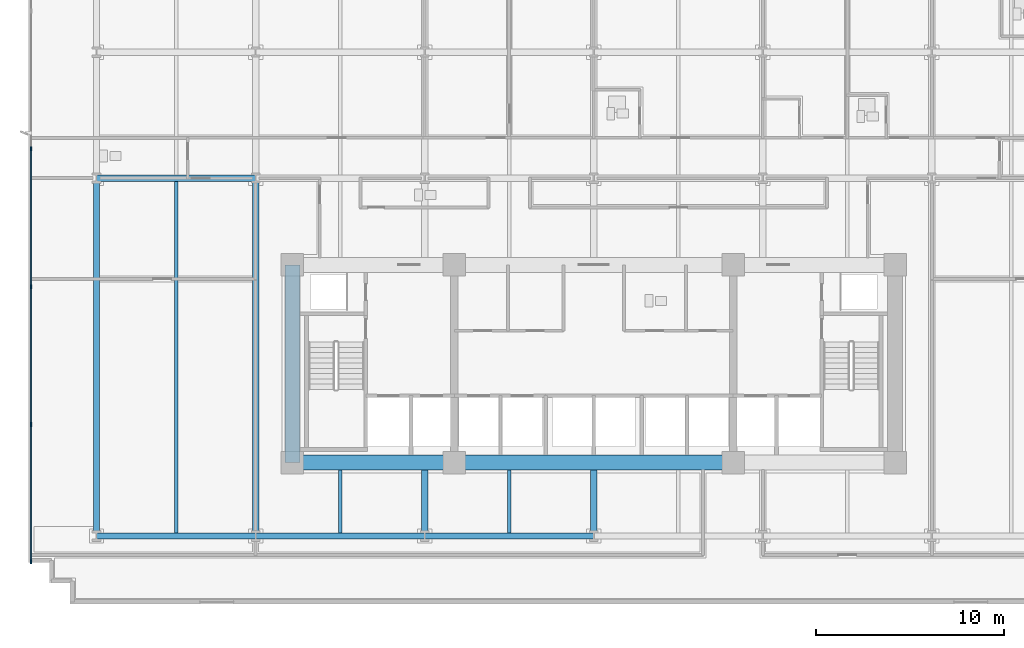
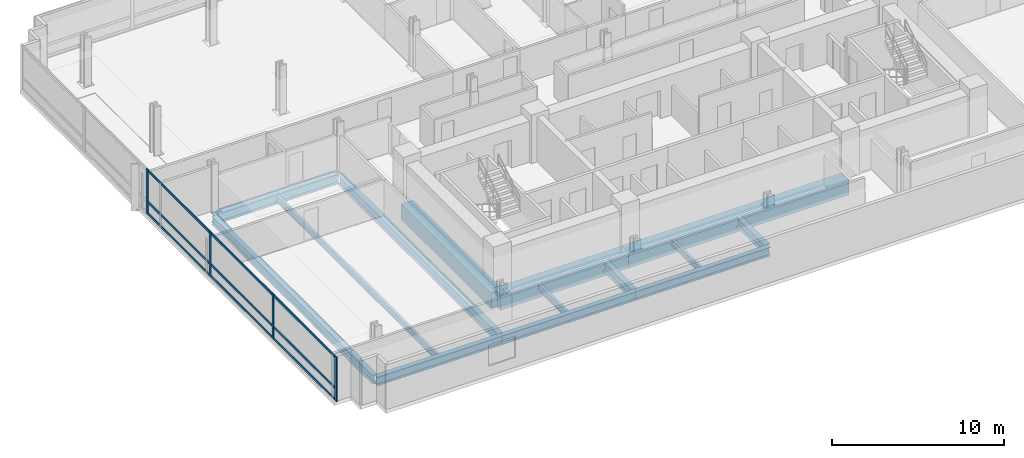
# One storey, part 2 of 17: 14 beams, 13 members, 1 element without a shape of its own.
"""IFC4 building model written with IfcOpenShell, lengths in metres."""

from ifc_helpers import new_model, si_unit, direction, frame, origin, origin_2d, place, context, subcontext, project, spatial, rectangle, i_section, extrude, material, material_profile, profile_set, type_object, element, aggregate, save


model = new_model("IFC4")

# Units and contexts
model_context = context("Model", 3, precision=1e-05, world=origin(), true_north=direction((0.0, 1.0)))
body_context = subcontext(model_context, "Body", "Model", "MODEL_VIEW")
ifc_project = project(units=[si_unit("LENGTHUNIT", "METRE"), si_unit("AREAUNIT", "SQUARE_METRE"), si_unit("VOLUMEUNIT", "CUBIC_METRE"), si_unit("PLANEANGLEUNIT", "RADIAN"), si_unit("MASSUNIT", "GRAM", prefix="KILO")], contexts=[model_context])

# Site, building, storey
site_placement = place(None, origin())
site = spatial("IfcSite", under=ifc_project, at=site_placement, CompositionType="ELEMENT")
building_placement = place(site_placement, origin())
building = spatial("IfcBuilding", under=site, at=building_placement, Name="Solmavex Isthmus Hotel", CompositionType="ELEMENT")
storey_placement = place(building_placement, frame((0.0, 0.0, 47.10009765625)))
storey = spatial("IfcBuildingStorey", under=building, at=storey_placement, Name="L12", CompositionType="ELEMENT", Elevation=47.10009765625)

# Beams
ifc_material_1 = material(Name="Steel ASTM A992 Grade 50", Category="steel")
ifc_material_profile_1 = material_profile(ifc_material_1, i_section(OverallWidth=0.354736328125, OverallDepth=0.695556640625, WebThickness=0.015380859375, FlangeThickness=0.02490234375, FilletRadius=0.017822265625, at=origin_2d()), Name="W27X146")
ifc_profile_set_1 = profile_set([ifc_material_profile_1], Name="Steel ASTM A992 Grade 50")
beam_type_1 = type_object("IfcBeamType", Name="BM-BG-W27X146", PredefinedType="BEAM", material=ifc_profile_set_1)
beam_1_placement = place(storey_placement, frame((-26.39990234375, 2.10009765625, -0.60791015625), z_axis=(1.0, 0.0, 0.0), x_axis=(0.0, 1.0, 0.0)))
element("IfcBeam", 1, at=beam_1_placement, inside=storey, type_object=beam_type_1, Name="Floor Girder L12-UG07", PredefinedType="BEAM", context=body_context, shape_type="SweptSolid", body=[
    extrude(i_section(OverallWidth=0.354736328125, OverallDepth=0.695556640625, WebThickness=0.015380859375, FlangeThickness=0.02490234375, FilletRadius=0.017822265625, at=origin_2d()), origin(), (0.0, 0.0, 1.0), 8.447998046875),
])
beam_2_placement = place(storey_placement, frame((-17.951904296875, -16.73681640625, -0.60791015625), z_axis=(0.0, 1.0, 0.0), x_axis=(-1.0, 0.0, 0.0)))
element("IfcBeam", 2, at=beam_2_placement, inside=storey, type_object=beam_type_1, Name="Floor Beam L12-VG28", PredefinedType="BEAM", context=body_context, shape_type="SweptSolid", body=[
    extrude(i_section(OverallWidth=0.354736328125, OverallDepth=0.695556640625, WebThickness=0.015380859375, FlangeThickness=0.02490234375, FilletRadius=0.017822265625, at=origin_2d()), origin(), (0.0, 0.0, 1.0), 18.659423828125),
])
for number, where, z_axis, x_axis, name in (
    (3, (-8.97607421875, -16.73681640625, -0.60791015625), (0.0, 1.0, 0.0), (-1.0, 0.0, 0.0), "Floor Beam L12-VG31"),
    (4, (0.0, -16.73681640625, -0.60791015625), (0.0, 1.0, 0.0), (-1.0, 0.0, 0.0), "Floor Beam L12-VG35"),
):
    element("IfcBeam", number, at=place(storey_placement, frame(where, z_axis=z_axis, x_axis=x_axis)), inside=storey, type_object=beam_type_1, Name=name, PredefinedType="BEAM", context=body_context, shape_type="SweptSolid", body=[
        extrude(i_section(OverallWidth=0.354736328125, OverallDepth=0.695556640625, WebThickness=0.015380859375, FlangeThickness=0.02490234375, FilletRadius=0.017822265625, at=origin_2d()), origin(), (0.0, 0.0, 1.0), 3.3369140625),
    ])
ifc_material_profile_2 = material_profile(ifc_material_1, i_section(OverallWidth=0.1904296875, OverallDepth=0.456787109375, WebThickness=0.009033203125, FlangeThickness=0.014404296875, FilletRadius=0.0126953125, at=origin_2d()), Name="W18X50")
ifc_profile_set_2 = profile_set([ifc_material_profile_2], Name="Steel ASTM A992 Grade 50")
beam_type_2 = type_object("IfcBeamType", Name="BM-BJ-W18X50", PredefinedType="JOIST", material=ifc_profile_set_2)
beam_3_placement = place(storey_placement, frame((-22.176025390625, -16.73681640625, -0.488525390625), z_axis=(0.0, 1.0, 0.0), x_axis=(-1.0, 0.0, 0.0)))
element("IfcBeam", 5, at=beam_3_placement, inside=storey, type_object=beam_type_2, Name="Secondary Floor Joist L12-J01", PredefinedType="JOIST", context=body_context, shape_type="SweptSolid", body=[
    extrude(i_section(OverallWidth=0.1904296875, OverallDepth=0.456787109375, WebThickness=0.009033203125, FlangeThickness=0.014404296875, FilletRadius=0.0126953125, at=origin_2d()), origin(), (0.0, 0.0, 1.0), 18.659423828125),
])
for number, where, z_axis, x_axis, name in (
    (6, (-13.464111328125, -16.73681640625, -0.488525390625), (0.0, 1.0, 0.0), (-1.0, 0.0, 0.0), "Secondary Floor Joist L12-J04"),
    (7, (-4.488037109375, -16.73681640625, -0.488525390625), (0.0, 1.0, 0.0), (-1.0, 0.0, 0.0), "Secondary Floor Joist L12-J08"),
):
    element("IfcBeam", number, at=place(storey_placement, frame(where, z_axis=z_axis, x_axis=x_axis)), inside=storey, type_object=beam_type_2, Name=name, PredefinedType="JOIST", context=body_context, shape_type="SweptSolid", body=[
        extrude(i_section(OverallWidth=0.1904296875, OverallDepth=0.456787109375, WebThickness=0.009033203125, FlangeThickness=0.014404296875, FilletRadius=0.0126953125, at=origin_2d()), origin(), (0.0, 0.0, 1.0), 3.3369140625),
    ])
ifc_material_2 = material(Name="Concrete C70/85", Category="concrete")
ifc_material_profile_3 = material_profile(ifc_material_2, rectangle(XDim=0.800048828125, YDim=1.10009765625, at=origin_2d()), Name="RC800X1100")
ifc_profile_set_3 = profile_set([ifc_material_profile_3], Name="Concrete C70/85")
beam_type_3 = type_object("IfcBeamType", Name="BM-CB-800X1100", PredefinedType="BEAM", material=ifc_profile_set_3)
beam_4_placement = place(storey_placement, frame((-16.0, -13.0, -0.81005859375), z_axis=(1.0, 0.0, 0.0), x_axis=(0.0, 1.0, 0.0)))
element("IfcBeam", 8, at=beam_4_placement, inside=storey, type_object=beam_type_3, Name="Core Coupling Beam L12-CB1", PredefinedType="BEAM", context=body_context, shape_type="SweptSolid", body=[
    extrude(rectangle(XDim=0.800048828125, YDim=1.10009765625, at=origin_2d()), origin(), (0.0, 0.0, 1.0), 8.60009765625),
])
beam_5_placement = place(storey_placement, frame((-7.39990234375, -13.0, -0.81005859375), z_axis=(1.0, 0.0, 0.0), x_axis=(0.0, 1.0, 0.0)))
element("IfcBeam", 9, at=beam_5_placement, inside=storey, type_object=beam_type_3, Name="Core Coupling Beam L12-CB2", PredefinedType="BEAM", context=body_context, shape_type="SweptSolid", body=[
    extrude(rectangle(XDim=0.800048828125, YDim=1.10009765625, at=origin_2d()), origin(), (0.0, 0.0, 1.0), 14.7998046875),
])
beam_6_placement = place(storey_placement, frame((-16.0, -13.0, -0.81005859375), z_axis=(0.0, 1.0, 0.0), x_axis=(-1.0, 0.0, 0.0)))
element("IfcBeam", 10, at=beam_6_placement, inside=storey, type_object=beam_type_3, Name="Core Coupling Beam L12-CB7", PredefinedType="BEAM", context=body_context, shape_type="SweptSolid", body=[
    extrude(rectangle(XDim=0.800048828125, YDim=1.10009765625, at=origin_2d()), origin(), (0.0, 0.0, 1.0), 10.5),
])
ifc_material_profile_4 = material_profile(ifc_material_1, i_section(OverallWidth=0.326416015625, OverallDepth=0.621826171875, WebThickness=0.015380859375, FlangeThickness=0.0244140625, FilletRadius=0.01513671875, at=origin_2d()), Name="W24X131")
ifc_profile_set_4 = profile_set([ifc_material_profile_4], Name="Steel ASTM A992 Grade 50")
beam_type_4 = type_object("IfcBeamType", Name="BM-SP-W24X131", PredefinedType="SPANDREL", material=ifc_profile_set_4)
beam_7_placement = place(storey_placement, frame((-26.39990234375, -16.89990234375, -0.571044921875), z_axis=(1.0, 0.0, 0.0), x_axis=(0.0, 1.0, 0.0)))
element("IfcBeam", 11, at=beam_7_placement, inside=storey, type_object=beam_type_4, Name="Floor Girder L12-UG01", PredefinedType="SPANDREL", context=body_context, shape_type="SweptSolid", body=[
    extrude(i_section(OverallWidth=0.326416015625, OverallDepth=0.621826171875, WebThickness=0.015380859375, FlangeThickness=0.0244140625, FilletRadius=0.01513671875, at=origin_2d()), origin(), (0.0, 0.0, 1.0), 8.447998046875),
])
beam_8_placement = place(storey_placement, frame((-17.951904296875, -16.89990234375, -0.571044921875), z_axis=(1.0, 0.0, 0.0), x_axis=(0.0, 1.0, 0.0)))
element("IfcBeam", 12, at=beam_8_placement, inside=storey, type_object=beam_type_4, Name="Floor Girder L12-UG02", PredefinedType="SPANDREL", context=body_context, shape_type="SweptSolid", body=[
    extrude(i_section(OverallWidth=0.326416015625, OverallDepth=0.621826171875, WebThickness=0.015380859375, FlangeThickness=0.0244140625, FilletRadius=0.01513671875, at=origin_2d()), origin(), (0.0, 0.0, 1.0), 8.975830078125),
])
beam_9_placement = place(storey_placement, frame((-8.97607421875, -16.89990234375, -0.571044921875), z_axis=(1.0, 0.0, 0.0), x_axis=(0.0, 1.0, 0.0)))
element("IfcBeam", 13, at=beam_9_placement, inside=storey, type_object=beam_type_4, Name="Floor Girder L12-UG03", PredefinedType="SPANDREL", context=body_context, shape_type="SweptSolid", body=[
    extrude(i_section(OverallWidth=0.326416015625, OverallDepth=0.621826171875, WebThickness=0.015380859375, FlangeThickness=0.0244140625, FilletRadius=0.01513671875, at=origin_2d()), origin(), (0.0, 0.0, 1.0), 8.97607421875),
])
beam_10_placement = place(storey_placement, frame((-26.39990234375, -16.73681640625, -0.571044921875), z_axis=(0.0, 1.0, 0.0), x_axis=(-1.0, 0.0, 0.0)))
element("IfcBeam", 14, at=beam_10_placement, inside=storey, type_object=beam_type_4, Name="Floor Beam L12-VG25", PredefinedType="SPANDREL", context=body_context, shape_type="SweptSolid", body=[
    extrude(i_section(OverallWidth=0.326416015625, OverallDepth=0.621826171875, WebThickness=0.015380859375, FlangeThickness=0.0244140625, FilletRadius=0.01513671875, at=origin_2d()), origin(), (0.0, 0.0, 1.0), 18.659423828125),
])

# Curtain wall, members
ifc_material_3 = material(Name="Aluminium alloy 6063-T6", Category="aluminium")
curtain_wall_type = type_object("IfcCurtainWallType", Name="CW-SYS-02", PredefinedType="NOTDEFINED", material=ifc_material_3)
curtain_wall_placement = place(storey_placement, origin())
curtain_wall = element("IfcCurtainWall", 15, at=curtain_wall_placement, inside=storey, type_object=curtain_wall_type, Name="Stick Curtain Wall CWL-L12-W1", PredefinedType="NOTDEFINED")
ifc_material_profile_5 = material_profile(ifc_material_3, rectangle(XDim=0.074951171875, YDim=0.219970703125, at=origin_2d()), Name="CWM-75X220")
ifc_profile_set_5 = profile_set([ifc_material_profile_5], Name="Aluminium alloy 6063-T6")
member_type_1 = type_object("IfcMemberType", Name="CW-SYS-02-MUL", PredefinedType="MULLION", material=ifc_profile_set_5)
member_1_placement = place(storey_placement, frame((-29.8798828125, -18.262451171875, 0.0), z_axis=(0.0, 0.0, 1.0), x_axis=(-1.0, 0.0, 0.0)))
member_1 = element("IfcMember", 16, at=member_1_placement, type_object=member_type_1, Name="CW-02 mullion 1", PredefinedType="MULLION", context=body_context, shape_type="SweptSolid", body=[
    extrude(rectangle(XDim=0.074951171875, YDim=0.219970703125, at=origin_2d()), origin(), (0.0, 0.0, 1.0), 3.18994140625),
])
member_2_placement = place(storey_placement, frame((-29.8798828125, -10.97998046875, 0.0), z_axis=(0.0, 0.0, 1.0), x_axis=(-1.0, 0.0, 0.0)))
member_2 = element("IfcMember", 17, at=member_2_placement, type_object=member_type_1, Name="CW-02 mullion 2", PredefinedType="MULLION", context=body_context, shape_type="SweptSolid", body=[
    extrude(rectangle(XDim=0.074951171875, YDim=0.219970703125, at=origin_2d()), origin(), (0.0, 0.0, 1.0), 3.18994140625),
])
member_3_placement = place(storey_placement, frame((-29.8798828125, -3.659912109375, 0.0), z_axis=(0.0, 0.0, 1.0), x_axis=(-1.0, 0.0, 0.0)))
member_3 = element("IfcMember", 18, at=member_3_placement, type_object=member_type_1, Name="CW-02 mullion 3", PredefinedType="MULLION", context=body_context, shape_type="SweptSolid", body=[
    extrude(rectangle(XDim=0.074951171875, YDim=0.219970703125, at=origin_2d()), origin(), (0.0, 0.0, 1.0), 3.18994140625),
])
member_4_placement = place(storey_placement, frame((-29.8798828125, 3.659912109375, 0.0), z_axis=(0.0, 0.0, 1.0), x_axis=(-1.0, 0.0, 0.0)))
member_4 = element("IfcMember", 19, at=member_4_placement, type_object=member_type_1, Name="CW-02 mullion 4", PredefinedType="MULLION", context=body_context, shape_type="SweptSolid", body=[
    extrude(rectangle(XDim=0.074951171875, YDim=0.219970703125, at=origin_2d()), origin(), (0.0, 0.0, 1.0), 3.18994140625),
])
ifc_material_profile_6 = material_profile(ifc_material_3, rectangle(XDim=0.074951171875, YDim=0.159912109375, at=origin_2d()), Name="CWT-75X160")
ifc_profile_set_6 = profile_set([ifc_material_profile_6], Name="Aluminium alloy 6063-T6")
member_type_2 = type_object("IfcMemberType", Name="CW-SYS-02-TRN", PredefinedType="USERDEFINED", material=ifc_profile_set_6)
member_5_placement = place(storey_placement, frame((-29.8798828125, -18.22509765625, 0.079833984375), z_axis=(0.0, 1.0, 0.0), x_axis=(-1.0, 0.0, 0.0)))
member_5 = element("IfcMember", 20, at=member_5_placement, type_object=member_type_2, Name="CW-02 transom 1.1", ObjectType="TRANSOM", PredefinedType="USERDEFINED", context=body_context, shape_type="SweptSolid", body=[
    extrude(rectangle(XDim=0.074951171875, YDim=0.159912109375, at=origin_2d()), origin(), (0.0, 0.0, 1.0), 7.20751953125),
])
member_6_placement = place(storey_placement, frame((-29.8798828125, -18.22509765625, 0.89990234375), z_axis=(0.0, 1.0, 0.0), x_axis=(-1.0, 0.0, 0.0)))
member_6 = element("IfcMember", 21, at=member_6_placement, type_object=member_type_2, Name="CW-02 transom 1.2", ObjectType="TRANSOM", PredefinedType="USERDEFINED", context=body_context, shape_type="SweptSolid", body=[
    extrude(rectangle(XDim=0.074951171875, YDim=0.159912109375, at=origin_2d()), origin(), (0.0, 0.0, 1.0), 7.20751953125),
])
member_7_placement = place(storey_placement, frame((-29.8798828125, -18.22509765625, 3.10986328125), z_axis=(0.0, 1.0, 0.0), x_axis=(-1.0, 0.0, 0.0)))
member_7 = element("IfcMember", 22, at=member_7_placement, type_object=member_type_2, Name="CW-02 transom 1.3", ObjectType="TRANSOM", PredefinedType="USERDEFINED", context=body_context, shape_type="SweptSolid", body=[
    extrude(rectangle(XDim=0.074951171875, YDim=0.159912109375, at=origin_2d()), origin(), (0.0, 0.0, 1.0), 7.20751953125),
])
member_8_placement = place(storey_placement, frame((-29.8798828125, -10.9423828125, 0.079833984375), z_axis=(0.0, 1.0, 0.0), x_axis=(-1.0, 0.0, 0.0)))
member_8 = element("IfcMember", 23, at=member_8_placement, type_object=member_type_2, Name="CW-02 transom 2.1", ObjectType="TRANSOM", PredefinedType="USERDEFINED", context=body_context, shape_type="SweptSolid", body=[
    extrude(rectangle(XDim=0.074951171875, YDim=0.159912109375, at=origin_2d()), origin(), (0.0, 0.0, 1.0), 7.244873046875),
])
member_9_placement = place(storey_placement, frame((-29.8798828125, -10.9423828125, 0.89990234375), z_axis=(0.0, 1.0, 0.0), x_axis=(-1.0, 0.0, 0.0)))
member_9 = element("IfcMember", 24, at=member_9_placement, type_object=member_type_2, Name="CW-02 transom 2.2", ObjectType="TRANSOM", PredefinedType="USERDEFINED", context=body_context, shape_type="SweptSolid", body=[
    extrude(rectangle(XDim=0.074951171875, YDim=0.159912109375, at=origin_2d()), origin(), (0.0, 0.0, 1.0), 7.244873046875),
])
member_10_placement = place(storey_placement, frame((-29.8798828125, -10.9423828125, 3.10986328125), z_axis=(0.0, 1.0, 0.0), x_axis=(-1.0, 0.0, 0.0)))
member_10 = element("IfcMember", 25, at=member_10_placement, type_object=member_type_2, Name="CW-02 transom 2.3", ObjectType="TRANSOM", PredefinedType="USERDEFINED", context=body_context, shape_type="SweptSolid", body=[
    extrude(rectangle(XDim=0.074951171875, YDim=0.159912109375, at=origin_2d()), origin(), (0.0, 0.0, 1.0), 7.244873046875),
])
member_11_placement = place(storey_placement, frame((-29.8798828125, -3.62255859375, 0.079833984375), z_axis=(0.0, 1.0, 0.0), x_axis=(-1.0, 0.0, 0.0)))
member_11 = element("IfcMember", 26, at=member_11_placement, type_object=member_type_2, Name="CW-02 transom 3.1", ObjectType="TRANSOM", PredefinedType="USERDEFINED", context=body_context, shape_type="SweptSolid", body=[
    extrude(rectangle(XDim=0.074951171875, YDim=0.159912109375, at=origin_2d()), origin(), (0.0, 0.0, 1.0), 7.2451171875),
])
member_12_placement = place(storey_placement, frame((-29.8798828125, -3.62255859375, 0.89990234375), z_axis=(0.0, 1.0, 0.0), x_axis=(-1.0, 0.0, 0.0)))
member_12 = element("IfcMember", 27, at=member_12_placement, type_object=member_type_2, Name="CW-02 transom 3.2", ObjectType="TRANSOM", PredefinedType="USERDEFINED", context=body_context, shape_type="SweptSolid", body=[
    extrude(rectangle(XDim=0.074951171875, YDim=0.159912109375, at=origin_2d()), origin(), (0.0, 0.0, 1.0), 7.2451171875),
])
member_13_placement = place(storey_placement, frame((-29.8798828125, -3.62255859375, 3.10986328125), z_axis=(0.0, 1.0, 0.0), x_axis=(-1.0, 0.0, 0.0)))
member_13 = element("IfcMember", 28, at=member_13_placement, type_object=member_type_2, Name="CW-02 transom 3.3", ObjectType="TRANSOM", PredefinedType="USERDEFINED", context=body_context, shape_type="SweptSolid", body=[
    extrude(rectangle(XDim=0.074951171875, YDim=0.159912109375, at=origin_2d()), origin(), (0.0, 0.0, 1.0), 7.2451171875),
])
aggregate(curtain_wall, [member_1, member_2, member_3, member_4, member_5, member_6, member_7, member_8, member_9, member_10, member_11, member_12, member_13])

save(model, "model.ifc")
